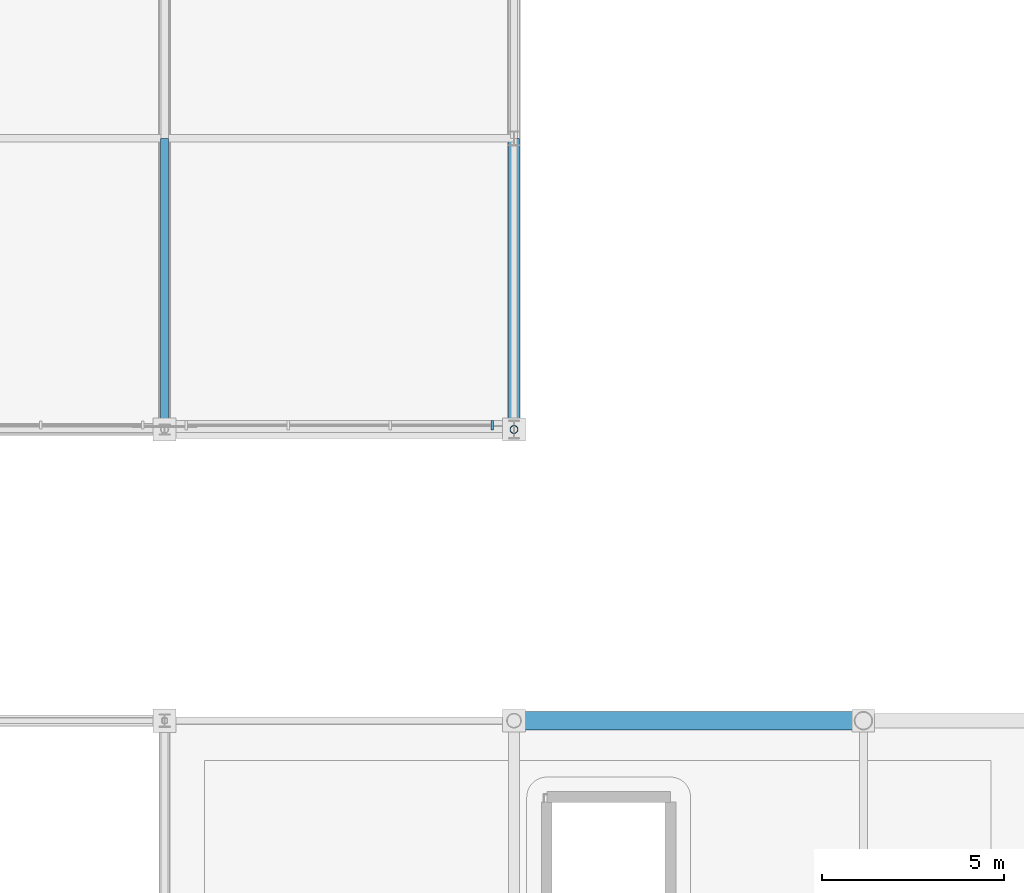
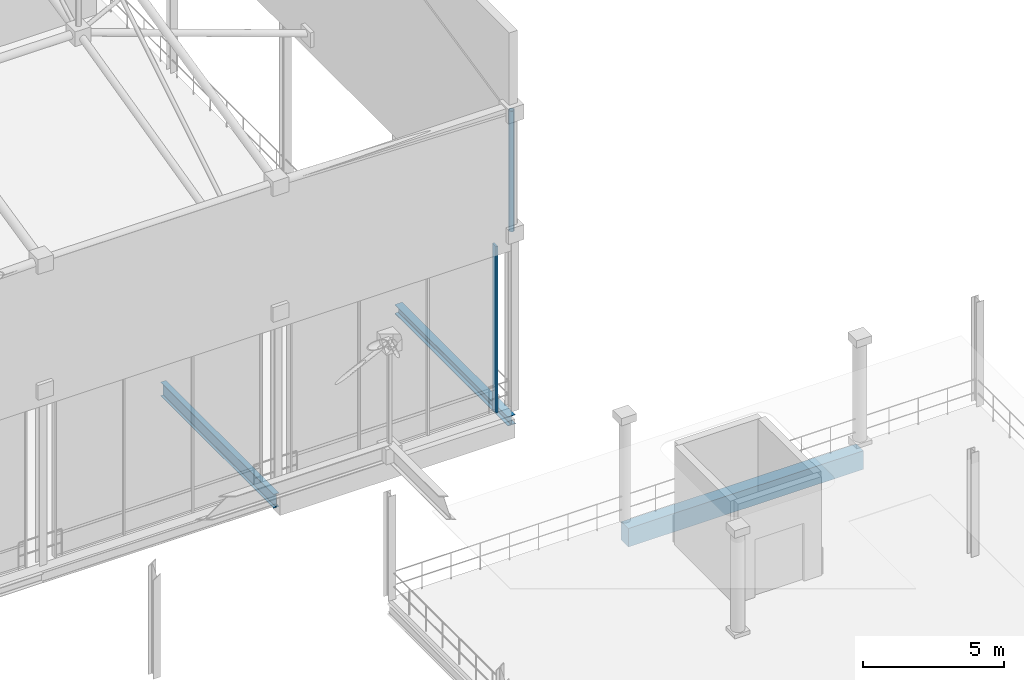
# One storey, part 116 of 193: 3 beams, 2 members, 1 element without a shape of its own.
"""IFC4 building model written with IfcOpenShell, lengths in metres."""

from ifc_helpers import new_model, si_unit, direction, frame, origin, origin_2d, place, context, subcontext, project, spatial, rectangle, hollow_circle, i_section, extrude, material, material_profile, profile_set, type_object, element, aggregate, save


model = new_model("IFC4")

# Units and contexts
model_context = context("Model", 3, precision=1e-05, world=origin(), true_north=direction((0.0, 1.0)))
body_context = subcontext(model_context, "Body", "Model", "MODEL_VIEW")
ifc_project = project(units=[si_unit("LENGTHUNIT", "METRE"), si_unit("AREAUNIT", "SQUARE_METRE"), si_unit("VOLUMEUNIT", "CUBIC_METRE"), si_unit("PLANEANGLEUNIT", "RADIAN"), si_unit("MASSUNIT", "GRAM", prefix="KILO")], contexts=[model_context])

# Site, building, storey
site_placement = place(None, origin())
site = spatial("IfcSite", under=ifc_project, at=site_placement, CompositionType="ELEMENT")
building_placement = place(site_placement, origin())
building = spatial("IfcBuilding", under=site, at=building_placement, Name="Danafjord Basin Convention Centre", CompositionType="ELEMENT")
storey_placement = place(building_placement, frame((0.0, 0.0, 11.39990234375)))
storey = spatial("IfcBuildingStorey", under=building, at=storey_placement, Name="L02", CompositionType="ELEMENT", Elevation=11.39990234375)

# Beams
ifc_material_1 = material(Name="Steel S355", Category="steel")
ifc_material_profile_1 = material_profile(ifc_material_1, i_section(OverallWidth=0.219970703125, OverallDepth=0.60009765625, WebThickness=0.011962890625, FlangeThickness=0.01904296875, FilletRadius=0.02392578125, at=origin_2d()), Name="IPE 600")
ifc_profile_set_1 = profile_set([ifc_material_profile_1], Name="Steel S355")
beam_type_1 = type_object("IfcBeamType", Name="BEAM-BM-IPE600", PredefinedType="BEAM", material=ifc_profile_set_1)
beam_1_placement = place(storey_placement, frame((192.0, 88.0, -0.659912109375), z_axis=(0.0, 1.0, 0.0), x_axis=(-1.0, 0.0, 0.0)))
element("IfcBeam", 1, at=beam_1_placement, inside=storey, type_object=beam_type_1, Name="L02 transverse girder BM-IPE600", PredefinedType="BEAM", context=body_context, shape_type="SweptSolid", body=[
    extrude(i_section(OverallWidth=0.219970703125, OverallDepth=0.60009765625, WebThickness=0.011962890625, FlangeThickness=0.01904296875, FilletRadius=0.02392578125, at=origin_2d()), origin(), (0.0, 0.0, 1.0), 8.0),
])
ifc_material_profile_2 = material_profile(ifc_material_1, i_section(OverallWidth=0.300048828125, OverallDepth=0.39990234375, WebThickness=0.013427734375, FlangeThickness=0.02392578125, FilletRadius=0.027099609375, at=origin_2d()), Name="HEB 400")
ifc_profile_set_2 = profile_set([ifc_material_profile_2], Name="Steel S355")
beam_type_2 = type_object("IfcBeamType", Name="BEAM-SP-HEB400", PredefinedType="SPANDREL", material=ifc_profile_set_2)
beam_2_placement = place(storey_placement, frame((201.60009765625, 88.0, -0.559814453125), z_axis=(0.0, 1.0, 0.0), x_axis=(-1.0, 0.0, 0.0)))
element("IfcBeam", 2, at=beam_2_placement, inside=storey, type_object=beam_type_2, Name="L02 transverse girder SP-HEB400", PredefinedType="SPANDREL", context=body_context, shape_type="SweptSolid", body=[
    extrude(i_section(OverallWidth=0.300048828125, OverallDepth=0.39990234375, WebThickness=0.013427734375, FlangeThickness=0.02392578125, FilletRadius=0.027099609375, at=origin_2d()), origin(), (0.0, 0.0, 1.0), 8.0),
])
ifc_material_2 = material(Name="Precast concrete C45/55", Category="concrete")
ifc_material_profile_3 = material_profile(ifc_material_2, rectangle(XDim=0.5, YDim=0.800048828125, at=origin_2d()), Name="PCB 500x800")
ifc_profile_set_3 = profile_set([ifc_material_profile_3], Name="Precast concrete C45/55")
beam_type_3 = type_object("IfcBeamType", Name="BEAM-SP-PCB800", PredefinedType="SPANDREL", material=ifc_profile_set_3)
beam_3_placement = place(storey_placement, frame((201.60009765625, 80.0, -0.6298828125), z_axis=(1.0, 0.0, 0.0), x_axis=(0.0, 1.0, 0.0)))
element("IfcBeam", 3, at=beam_3_placement, inside=storey, type_object=beam_type_3, Name="L02 girder SP-PCB800", PredefinedType="SPANDREL", context=body_context, shape_type="SweptSolid", body=[
    extrude(rectangle(XDim=0.5, YDim=0.800048828125, at=origin_2d()), origin(), (0.0, 0.0, 1.0), 9.599853515625),
])

# Curtain wall, member
ifc_material_3 = material(Name="Anodised aluminium and triple glazing", Category="aluminium")
curtain_wall_type = type_object("IfcCurtainWallType", Name="CW-CW-DRUM", PredefinedType="NOTDEFINED", material=ifc_material_3)
curtain_wall_placement = place(storey_placement, origin())
curtain_wall = element("IfcCurtainWall", 4, at=curtain_wall_placement, inside=storey, type_object=curtain_wall_type, Name="L02 CW-DRUM unitised curtain wall bay 128", PredefinedType="NOTDEFINED")
ifc_material_4 = material(Name="Anodised aluminium EN AW-6060", Category="aluminium")
ifc_material_profile_4 = material_profile(ifc_material_4, rectangle(XDim=0.070068359375, YDim=0.260009765625, at=origin_2d()), Name="MULL 70x260")
ifc_profile_set_4 = profile_set([ifc_material_profile_4], Name="Anodised aluminium EN AW-6060")
member_type_1 = type_object("IfcMemberType", Name="MEM-ML-260", PredefinedType="MULLION", material=ifc_profile_set_4)
member_1_placement = place(storey_placement, frame((201.0, 88.1201171875, -0.02490234375), z_axis=(0.0, 0.0, 1.0), x_axis=(1.0, 0.0, 0.0)))
member_1 = element("IfcMember", 5, at=member_1_placement, type_object=member_type_1, Name="CW-L02-128 mullion 4", PredefinedType="MULLION", context=body_context, shape_type="SweptSolid", body=[
    extrude(rectangle(XDim=0.070068359375, YDim=0.260009765625, at=origin_2d()), origin(), (0.0, 0.0, 1.0), 7.18505859375),
])
aggregate(curtain_wall, [member_1])

# Member
ifc_material_profile_5 = material_profile(ifc_material_1, hollow_circle(Radius=0.109619140625, WallThickness=0.010009765625, at=origin_2d()), Name="CHS 219.1x10.0")
ifc_profile_set_5 = profile_set([ifc_material_profile_5], Name="Steel S355")
member_type_2 = type_object("IfcMemberType", Name="MEM-ST-CHS219", PredefinedType="STRUT", material=ifc_profile_set_5)
member_2_placement = place(storey_placement, frame((201.60009765625, 88.0, 7.650146484375), z_axis=(0.0, 0.0, 1.0), x_axis=(1.0, 0.0, 0.0)))
element("IfcMember", 6, at=member_2_placement, inside=storey, type_object=member_type_2, Name="V2 roof truss vertical strut", PredefinedType="STRUT", context=body_context, shape_type="SweptSolid", body=[
    extrude(hollow_circle(Radius=0.109619140625, WallThickness=0.010009765625, at=origin_2d()), origin(), (0.0, 0.0, 1.0), 5.199951171875),
])

save(model, "model.ifc")
